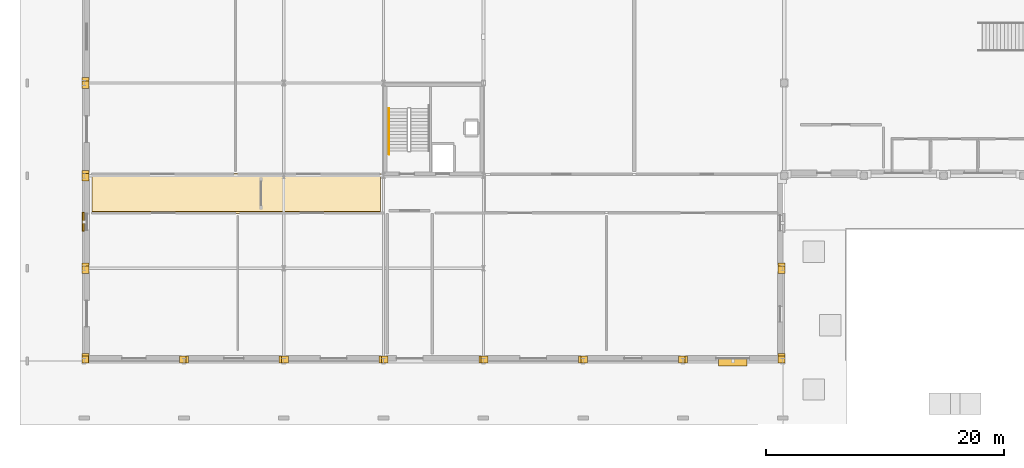
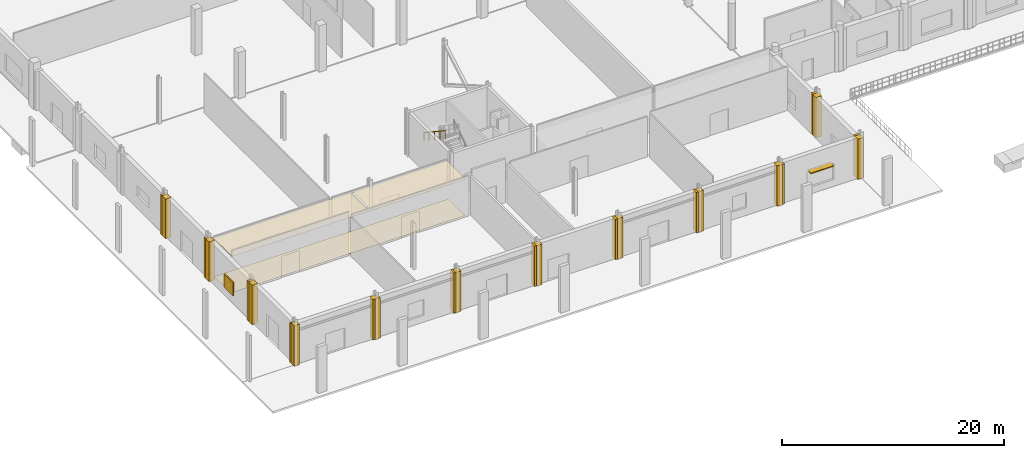
# One storey, part 67 of 80: 26 coverings, 2 shading devices, 1 railing.
"""IFC4 building model written with IfcOpenShell, lengths in metres."""

from ifc_helpers import new_model, si_unit, direction, frame, origin, origin_2d, place, context, subcontext, project, spatial, polyline, rectangle, circle, outline, extrude, material, layer, layer_set, type_object, element, save


model = new_model("IFC4")

# Units and contexts
model_context = context("Model", 3, precision=1e-05, world=origin(), true_north=direction((0.0, 1.0)))
body_context = subcontext(model_context, "Body", "Model", "MODEL_VIEW")
ifc_project = project(units=[si_unit("LENGTHUNIT", "METRE"), si_unit("AREAUNIT", "SQUARE_METRE"), si_unit("VOLUMEUNIT", "CUBIC_METRE"), si_unit("PLANEANGLEUNIT", "RADIAN"), si_unit("MASSUNIT", "GRAM", prefix="KILO")], contexts=[model_context])

# Site, building, storey
site_placement = place(None, origin())
site = spatial("IfcSite", under=ifc_project, at=site_placement, CompositionType="ELEMENT")
building_placement = place(site_placement, origin())
building = spatial("IfcBuilding", under=site, at=building_placement, Name="Nabrawat Pavilion Hospital", CompositionType="ELEMENT")
storey_placement = place(building_placement, origin())
storey = spatial("IfcBuildingStorey", under=building, at=storey_placement, Name="L00", CompositionType="ELEMENT", Elevation=0.0)

# Coverings
ifc_material_1 = material(Name="Precast concrete C40/50", Category="concrete")
ifc_layer_1 = layer(ifc_material_1, 0.360107421875, Name="Precast concrete C40/50")
ifc_layer_set_1 = layer_set([ifc_layer_1], Name="Precast concrete C40/50")
covering_type_1 = type_object("IfcCoveringType", Name="Architectural Precast Column-Jamb Closure Reveal", PredefinedType="CLADDING", material=ifc_layer_set_1)
covering_1_placement = place(storey_placement, origin())
element("IfcCovering", 1, at=covering_1_placement, inside=storey, type_object=covering_type_1, Name="L00 Precast Facade Column-Jamb Weatherseal Closure 0001", PredefinedType="CLADDING", context=body_context, shape_type="SweptSolid", body=[
    extrude(outline(polyline([(0.39990234375, -0.179931640625), (0.39990234375, 0.6201171875), (-0.179931640625, 0.6201171875), (-0.179931640625, -0.179931640625), (0.39990234375, -0.179931640625)])), origin(), (0.0, 0.0, 1.0), 4.330078125),
])
covering_2_placement = place(storey_placement, origin())
element("IfcCovering", 2, at=covering_2_placement, inside=storey, type_object=covering_type_1, Name="L00 Precast Facade Column-Jamb Weatherseal Closure 0002", PredefinedType="CLADDING", context=body_context, shape_type="SweptSolid", body=[
    extrude(outline(polyline([(0.39990234375, 7.35009765625), (0.39990234375, 7.97998046875), (-0.179931640625, 7.97998046875), (-0.179931640625, 7.35009765625), (0.39990234375, 7.35009765625)])), origin(), (0.0, 0.0, 1.0), 4.330078125),
])
covering_3_placement = place(storey_placement, origin())
element("IfcCovering", 3, at=covering_3_placement, inside=storey, type_object=covering_type_1, Name="L00 Precast Facade Column-Jamb Weatherseal Closure 0003", PredefinedType="CLADDING", context=body_context, shape_type="SweptSolid", body=[
    extrude(outline(polyline([(0.39990234375, 7.6201171875), (0.39990234375, 8.25), (-0.179931640625, 8.25), (-0.179931640625, 7.6201171875), (0.39990234375, 7.6201171875)])), origin(), (0.0, 0.0, 1.0), 4.330078125),
])
covering_4_placement = place(storey_placement, origin())
element("IfcCovering", 4, at=covering_4_placement, inside=storey, type_object=covering_type_1, Name="L00 Precast Facade Column-Jamb Weatherseal Closure 0004", PredefinedType="CLADDING", context=body_context, shape_type="SweptSolid", body=[
    extrude(outline(polyline([(0.39990234375, 15.14990234375), (0.39990234375, 15.780029296875), (-0.179931640625, 15.780029296875), (-0.179931640625, 15.14990234375), (0.39990234375, 15.14990234375)])), origin(), (0.0, 0.0, 1.0), 4.330078125),
])
covering_5_placement = place(storey_placement, origin())
element("IfcCovering", 5, at=covering_5_placement, inside=storey, type_object=covering_type_1, Name="L00 Precast Facade Column-Jamb Weatherseal Closure 0005", PredefinedType="CLADDING", context=body_context, shape_type="SweptSolid", body=[
    extrude(outline(polyline([(0.39990234375, 15.419921875), (0.39990234375, 16.050048828125), (-0.179931640625, 16.050048828125), (-0.179931640625, 15.419921875), (0.39990234375, 15.419921875)])), origin(), (0.0, 0.0, 1.0), 4.330078125),
])
covering_6_placement = place(storey_placement, origin())
element("IfcCovering", 6, at=covering_6_placement, inside=storey, type_object=covering_type_1, Name="L00 Precast Facade Column-Jamb Weatherseal Closure 0006", PredefinedType="CLADDING", context=body_context, shape_type="SweptSolid", body=[
    extrude(outline(polyline([(0.39990234375, 22.949951171875), (0.39990234375, 23.580078125), (-0.179931640625, 23.580078125), (-0.179931640625, 22.949951171875), (0.39990234375, 22.949951171875)])), origin(), (0.0, 0.0, 1.0), 4.330078125),
])
covering_7_placement = place(storey_placement, origin())
element("IfcCovering", 7, at=covering_7_placement, inside=storey, type_object=covering_type_1, Name="L00 Precast Facade Column-Jamb Weatherseal Closure 0007", PredefinedType="CLADDING", context=body_context, shape_type="SweptSolid", body=[
    extrude(outline(polyline([(0.39990234375, 23.219970703125), (0.39990234375, 23.85009765625), (-0.179931640625, 23.85009765625), (-0.179931640625, 23.219970703125), (0.39990234375, 23.219970703125)])), origin(), (0.0, 0.0, 1.0), 4.330078125),
])
covering_8_placement = place(storey_placement, origin())
element("IfcCovering", 8, at=covering_8_placement, inside=storey, type_object=covering_type_1, Name="L00 Precast Facade Column-Jamb Weatherseal Closure 0011", PredefinedType="CLADDING", context=body_context, shape_type="SweptSolid", body=[
    extrude(outline(polyline([(0.3798828125, -0.179931640625), (0.3798828125, 0.39990234375), (-0.179931640625, 0.39990234375), (-0.179931640625, -0.179931640625), (0.3798828125, -0.179931640625)])), origin(), (0.0, 0.0, 1.0), 4.43994140625),
])
covering_9_placement = place(storey_placement, origin())
element("IfcCovering", 9, at=covering_9_placement, inside=storey, type_object=covering_type_1, Name="L00 Precast Facade Column-Jamb Weatherseal Closure 0012", PredefinedType="CLADDING", context=body_context, shape_type="SweptSolid", body=[
    extrude(outline(polyline([(8.580078125, -0.179931640625), (8.580078125, 0.39990234375), (8.02001953125, 0.39990234375), (8.02001953125, -0.179931640625), (8.580078125, -0.179931640625)])), origin(), (0.0, 0.0, 1.0), 4.43994140625),
])
covering_10_placement = place(storey_placement, origin())
element("IfcCovering", 10, at=covering_10_placement, inside=storey, type_object=covering_type_1, Name="L00 Precast Facade Column-Jamb Weatherseal Closure 0013", PredefinedType="CLADDING", context=body_context, shape_type="SweptSolid", body=[
    extrude(outline(polyline([(8.780029296875, -0.179931640625), (8.780029296875, 0.39990234375), (8.219970703125, 0.39990234375), (8.219970703125, -0.179931640625), (8.780029296875, -0.179931640625)])), origin(), (0.0, 0.0, 1.0), 4.429931640625),
])
covering_11_placement = place(storey_placement, origin())
element("IfcCovering", 11, at=covering_11_placement, inside=storey, type_object=covering_type_1, Name="L00 Precast Facade Column-Jamb Weatherseal Closure 0014", PredefinedType="CLADDING", context=body_context, shape_type="SweptSolid", body=[
    extrude(outline(polyline([(16.97998046875, -0.179931640625), (16.97998046875, 0.39990234375), (16.419921875, 0.39990234375), (16.419921875, -0.179931640625), (16.97998046875, -0.179931640625)])), origin(), (0.0, 0.0, 1.0), 4.429931640625),
])
covering_12_placement = place(storey_placement, origin())
element("IfcCovering", 12, at=covering_12_placement, inside=storey, type_object=covering_type_1, Name="L00 Precast Facade Column-Jamb Weatherseal Closure 0015", PredefinedType="CLADDING", context=body_context, shape_type="SweptSolid", body=[
    extrude(outline(polyline([(17.179931640625, -0.179931640625), (17.179931640625, 0.39990234375), (16.6201171875, 0.39990234375), (16.6201171875, -0.179931640625), (17.179931640625, -0.179931640625)])), origin(), (0.0, 0.0, 1.0), 4.429931640625),
])
covering_13_placement = place(storey_placement, origin())
element("IfcCovering", 13, at=covering_13_placement, inside=storey, type_object=covering_type_1, Name="L00 Precast Facade Column-Jamb Weatherseal Closure 0016", PredefinedType="CLADDING", context=body_context, shape_type="SweptSolid", body=[
    extrude(outline(polyline([(25.3798828125, -0.179931640625), (25.3798828125, 0.39990234375), (24.820068359375, 0.39990234375), (24.820068359375, -0.179931640625), (25.3798828125, -0.179931640625)])), origin(), (0.0, 0.0, 1.0), 4.429931640625),
])
covering_14_placement = place(storey_placement, origin())
element("IfcCovering", 14, at=covering_14_placement, inside=storey, type_object=covering_type_1, Name="L00 Precast Facade Column-Jamb Weatherseal Closure 0017", PredefinedType="CLADDING", context=body_context, shape_type="SweptSolid", body=[
    extrude(outline(polyline([(25.580078125, -0.179931640625), (25.580078125, 0.39990234375), (25.02001953125, 0.39990234375), (25.02001953125, -0.179931640625), (25.580078125, -0.179931640625)])), origin(), (0.0, 0.0, 1.0), 4.429931640625),
])
covering_15_placement = place(storey_placement, origin())
element("IfcCovering", 15, at=covering_15_placement, inside=storey, type_object=covering_type_1, Name="L00 Precast Facade Column-Jamb Weatherseal Closure 0018", PredefinedType="CLADDING", context=body_context, shape_type="SweptSolid", body=[
    extrude(outline(polyline([(33.780029296875, -0.179931640625), (33.780029296875, 0.39990234375), (33.219970703125, 0.39990234375), (33.219970703125, -0.179931640625), (33.780029296875, -0.179931640625)])), origin(), (0.0, 0.0, 1.0), 4.429931640625),
])
covering_16_placement = place(storey_placement, origin())
element("IfcCovering", 16, at=covering_16_placement, inside=storey, type_object=covering_type_1, Name="L00 Precast Facade Column-Jamb Weatherseal Closure 0019", PredefinedType="CLADDING", context=body_context, shape_type="SweptSolid", body=[
    extrude(outline(polyline([(33.97998046875, -0.179931640625), (33.97998046875, 0.39990234375), (33.419921875, 0.39990234375), (33.419921875, -0.179931640625), (33.97998046875, -0.179931640625)])), origin(), (0.0, 0.0, 1.0), 4.429931640625),
])
covering_17_placement = place(storey_placement, origin())
element("IfcCovering", 17, at=covering_17_placement, inside=storey, type_object=covering_type_1, Name="L00 Precast Facade Column-Jamb Weatherseal Closure 0020", PredefinedType="CLADDING", context=body_context, shape_type="SweptSolid", body=[
    extrude(outline(polyline([(42.179931640625, -0.179931640625), (42.179931640625, 0.39990234375), (41.6201171875, 0.39990234375), (41.6201171875, -0.179931640625), (42.179931640625, -0.179931640625)])), origin(), (0.0, 0.0, 1.0), 4.429931640625),
])
covering_18_placement = place(storey_placement, origin())
element("IfcCovering", 18, at=covering_18_placement, inside=storey, type_object=covering_type_1, Name="L00 Precast Facade Column-Jamb Weatherseal Closure 0021", PredefinedType="CLADDING", context=body_context, shape_type="SweptSolid", body=[
    extrude(outline(polyline([(42.3798828125, -0.179931640625), (42.3798828125, 0.39990234375), (41.820068359375, 0.39990234375), (41.820068359375, -0.179931640625), (42.3798828125, -0.179931640625)])), origin(), (0.0, 0.0, 1.0), 4.43994140625),
])
covering_19_placement = place(storey_placement, origin())
element("IfcCovering", 19, at=covering_19_placement, inside=storey, type_object=covering_type_1, Name="L00 Precast Facade Column-Jamb Weatherseal Closure 0022", PredefinedType="CLADDING", context=body_context, shape_type="SweptSolid", body=[
    extrude(outline(polyline([(50.580078125, -0.179931640625), (50.580078125, 0.39990234375), (50.02001953125, 0.39990234375), (50.02001953125, -0.179931640625), (50.580078125, -0.179931640625)])), origin(), (0.0, 0.0, 1.0), 4.43994140625),
])
covering_20_placement = place(storey_placement, origin())
element("IfcCovering", 20, at=covering_20_placement, inside=storey, type_object=covering_type_1, Name="L00 Precast Facade Column-Jamb Weatherseal Closure 0023", PredefinedType="CLADDING", context=body_context, shape_type="SweptSolid", body=[
    extrude(outline(polyline([(50.780029296875, -0.179931640625), (50.780029296875, 0.39990234375), (50.219970703125, 0.39990234375), (50.219970703125, -0.179931640625), (50.780029296875, -0.179931640625)])), origin(), (0.0, 0.0, 1.0), 4.43994140625),
])
covering_21_placement = place(storey_placement, origin())
element("IfcCovering", 21, at=covering_21_placement, inside=storey, type_object=covering_type_1, Name="L00 Precast Facade Column-Jamb Weatherseal Closure 0024", PredefinedType="CLADDING", context=body_context, shape_type="SweptSolid", body=[
    extrude(outline(polyline([(58.97998046875, -0.179931640625), (58.97998046875, 0.39990234375), (58.419921875, 0.39990234375), (58.419921875, -0.179931640625), (58.97998046875, -0.179931640625)])), origin(), (0.0, 0.0, 1.0), 4.43994140625),
])
covering_22_placement = place(storey_placement, origin())
element("IfcCovering", 22, at=covering_22_placement, inside=storey, type_object=covering_type_1, Name="L00 Precast Facade Column-Jamb Weatherseal Closure 0059", PredefinedType="CLADDING", context=body_context, shape_type="SweptSolid", body=[
    extrude(outline(polyline([(58.97998046875, -0.179931640625), (58.97998046875, 0.6201171875), (58.39990234375, 0.6201171875), (58.39990234375, -0.179931640625), (58.97998046875, -0.179931640625)])), origin(), (0.0, 0.0, 1.0), 4.43994140625),
])
covering_23_placement = place(storey_placement, origin())
element("IfcCovering", 23, at=covering_23_placement, inside=storey, type_object=covering_type_1, Name="L00 Precast Facade Column-Jamb Weatherseal Closure 0060", PredefinedType="CLADDING", context=body_context, shape_type="SweptSolid", body=[
    extrude(outline(polyline([(58.97998046875, 7.35009765625), (58.97998046875, 7.97998046875), (58.39990234375, 7.97998046875), (58.39990234375, 7.35009765625), (58.97998046875, 7.35009765625)])), origin(), (0.0, 0.0, 1.0), 4.43994140625),
])
covering_24_placement = place(storey_placement, origin())
element("IfcCovering", 24, at=covering_24_placement, inside=storey, type_object=covering_type_1, Name="L00 Precast Facade Column-Jamb Weatherseal Closure 0061", PredefinedType="CLADDING", context=body_context, shape_type="SweptSolid", body=[
    extrude(outline(polyline([(58.97998046875, 7.6201171875), (58.97998046875, 8.25), (58.39990234375, 8.25), (58.39990234375, 7.6201171875), (58.97998046875, 7.6201171875)])), origin(), (0.0, 0.0, 1.0), 4.43994140625),
])
ifc_material_2 = material(Name="Mineral-Fibre Hygienic Acoustic Board", Category="gypsum")
ifc_layer_2 = layer(ifc_material_2, 0.02490234375, Name="Mineral-Fibre Hygienic Acoustic Board")
ifc_layer_set_2 = layer_set([ifc_layer_2], Name="Mineral-Fibre Hygienic Acoustic Board")
covering_type_2 = type_object("IfcCoveringType", Name="Hygienic Anti-Bacterial Acoustic Tile Ceiling", PredefinedType="CEILING", material=ifc_layer_set_2)
covering_25_placement = place(storey_placement, frame((0.0, 0.0, 4.110107421875)))
element("IfcCovering", 25, at=covering_25_placement, inside=storey, type_object=covering_type_2, Name="L00 Clinical Corridor Acoustic Ceiling 01", PredefinedType="CEILING", context=body_context, shape_type="SweptSolid", body=[
    extrude(outline(polyline([(24.949951171875, 12.419921875), (24.949951171875, 15.780029296875), (0.64990234375, 15.780029296875), (0.64990234375, 12.419921875), (24.949951171875, 12.419921875)])), origin(), (0.0, 0.0, 1.0), 0.02490234375),
])

# Shading device
ifc_layer_3 = layer(ifc_material_1, 2.39990234375, Name="Precast concrete C40/50")
ifc_layer_set_3 = layer_set([ifc_layer_3], Name="Precast concrete C40/50")
shading_device_type_1 = type_object("IfcShadingDeviceType", Name="Perforated GFRC Mashrabiya Solar Fin", PredefinedType="JALOUSIE", material=ifc_layer_set_3)
shading_device_1_placement = place(storey_placement, frame((-0.080078125, 11.699951171875, 1.0), z_axis=(0.0, 0.0, 1.0), x_axis=(0.0, 1.0, 0.0)))
element("IfcShadingDevice", 26, at=shading_device_1_placement, inside=storey, type_object=shading_device_type_1, Name="L00 Perforated GFRC Mashrabiya Screen 001", PredefinedType="JALOUSIE", context=body_context, shape_type="SweptSolid", body=[
    extrude(rectangle(XDim=1.60009765625, YDim=0.139892578125, at=origin_2d()), origin(), (0.0, 0.0, 1.0), 1.449951171875),
])

# Covering
ifc_material_3 = material(Name="Homogeneous Medical PVC Vinyl", Category="plastic")
ifc_layer_4 = layer(ifc_material_3, 0.014892578125, Name="Homogeneous Medical PVC Vinyl")
ifc_layer_set_4 = layer_set([ifc_layer_4], Name="Homogeneous Medical PVC Vinyl")
covering_type_3 = type_object("IfcCoveringType", Name="Seamless Anti-Static Medical Vinyl Flooring", PredefinedType="FLOORING", material=ifc_layer_set_4)
covering_26_placement = place(storey_placement, origin())
element("IfcCovering", 27, at=covering_26_placement, inside=storey, type_object=covering_type_3, Name="L00 Clinical Corridor Medical Vinyl Flooring 01", PredefinedType="FLOORING", context=body_context, shape_type="SweptSolid", body=[
    extrude(outline(polyline([(24.949951171875, 12.60009765625), (24.949951171875, 15.60009765625), (0.64990234375, 15.60009765625), (0.64990234375, 12.60009765625), (24.949951171875, 12.60009765625)])), origin(), (0.0, 0.0, 1.0), 0.014892578125),
])

# Railing
ifc_material_4 = material(Name="Stainless Steel 316", Category="steel")
ifc_layer_5 = layer(ifc_material_4, 0.044921875, Name="Stainless Steel 316")
ifc_layer_set_5 = layer_set([ifc_layer_5], Name="Stainless Steel 316")
railing_type = type_object("IfcRailingType", Name="Stair Pitch Continuous Handrail 920", PredefinedType="HANDRAIL", material=ifc_layer_set_5)
railing_placement = place(storey_placement, frame((25.675048828125, 21.2451171875, 2.736083984375)))
element("IfcRailing", 28, at=railing_placement, inside=storey, type_object=railing_type, Name="L00 ST-01 stair handrail 2", PredefinedType="HANDRAIL", context=body_context, shape_type="SweptSolid", body=[
    extrude(circle(Radius=0.02392578125, at=origin_2d()), frame((0.0, 0.0, 0.89599609375), z_axis=(0.0, -0.833713881912, 0.552196670677), x_axis=(1.0, 0.0, 0.0)), (0.0, 0.0, 1.0), 4.617919921875),
    extrude(circle(Radius=0.02099609375, at=origin_2d()), origin(), (0.0, 0.0, 1.0), 0.871826171875),
    extrude(circle(Radius=0.02099609375, at=origin_2d()), frame((0.0, -0.96240234375, 0.637451171875)), (0.0, 0.0, 1.0), 0.871826171875),
    extrude(circle(Radius=0.02099609375, at=origin_2d()), frame((0.0, -1.925048828125, 1.27490234375)), (0.0, 0.0, 1.0), 0.871826171875),
    extrude(circle(Radius=0.02099609375, at=origin_2d()), frame((0.0, -2.8876953125, 1.91259765625)), (0.0, 0.0, 1.0), 0.871826171875),
    extrude(circle(Radius=0.02099609375, at=origin_2d()), frame((0.0, -3.85009765625, 2.550048828125)), (0.0, 0.0, 1.0), 0.871826171875),
])

# Shading device
ifc_material_5 = material(Name="Anodised Aluminium", Category="aluminium")
ifc_layer_6 = layer(ifc_material_5, 0.10009765625, Name="Anodised Aluminium")
ifc_layer_set_6 = layer_set([ifc_layer_6], Name="Anodised Aluminium")
shading_device_type_2 = type_object("IfcShadingDeviceType", Name="Window Brow Horizontal Sun-Shading Canopy", PredefinedType="AWNING", material=ifc_layer_set_6)
shading_device_2_placement = place(storey_placement, frame((54.60009765625, -0.080078125, 2.5), z_axis=(0.0, 0.0, 1.0), x_axis=(1.0, 0.0, 0.0)))
element("IfcShadingDevice", 29, at=shading_device_2_placement, inside=storey, type_object=shading_device_type_2, Name="L00 Window Sun-Shading Brow Canopy 002", PredefinedType="AWNING", context=body_context, shape_type="SweptSolid", body=[
    extrude(rectangle(XDim=2.39990234375, YDim=0.64990234375, at=origin_2d()), origin(), (0.0, 0.0, 1.0), 0.10009765625),
])

save(model, "model.ifc")
